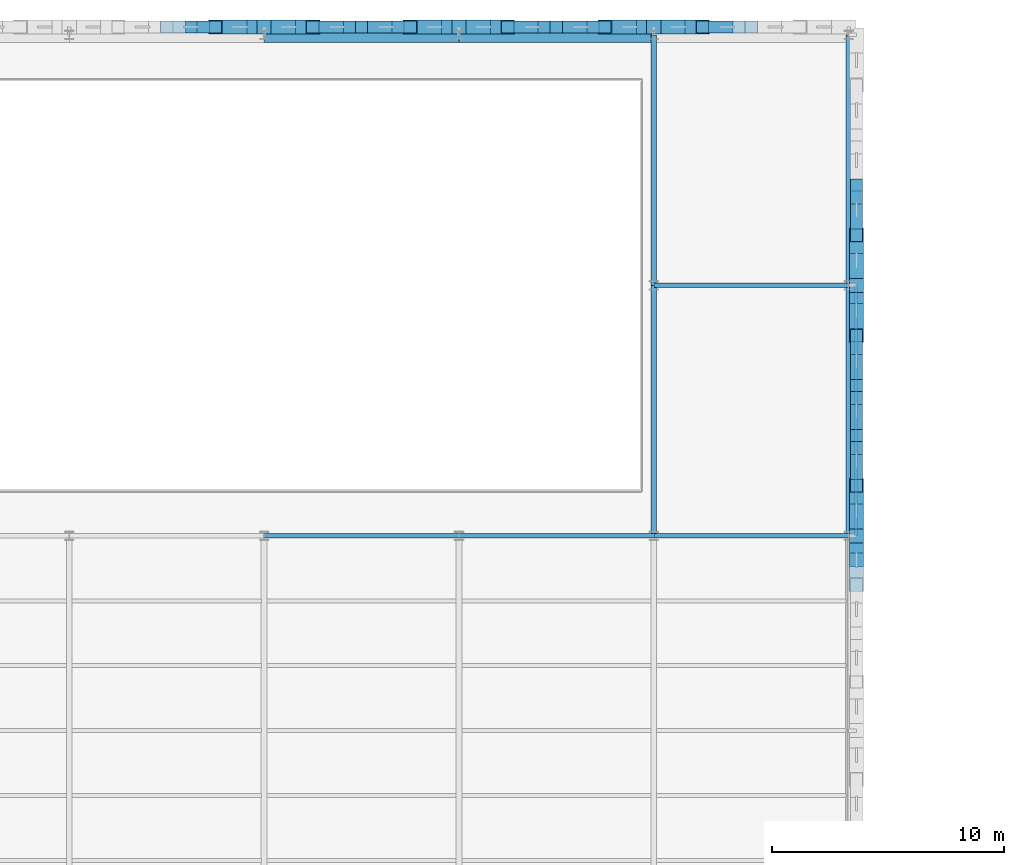
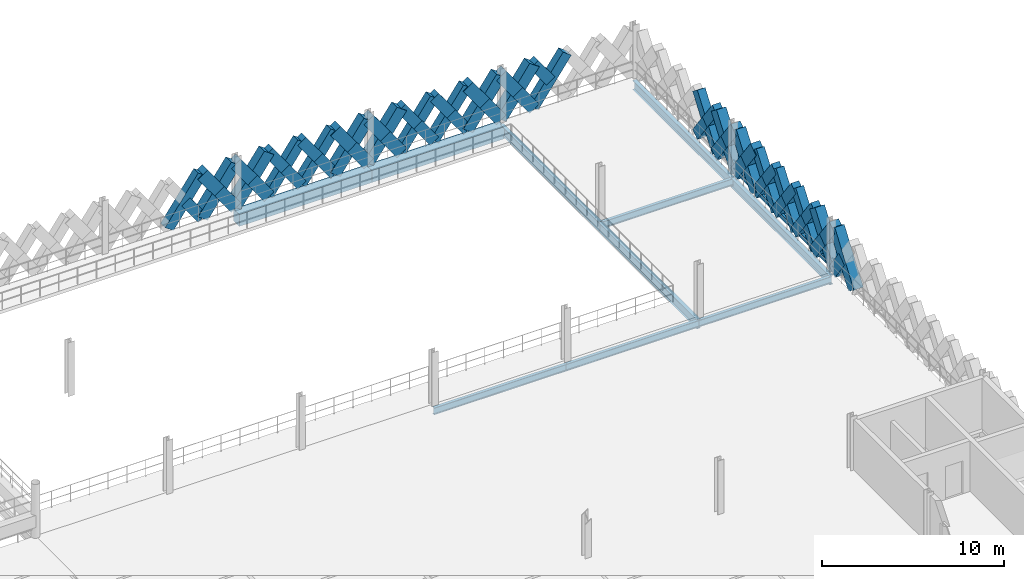
# One storey, part 33 of 79: 58 members, 10 beams.
"""IFC4 building model written with IfcOpenShell, lengths in metres."""

from ifc_helpers import new_model, si_unit, direction, frame, origin, origin_2d, place, context, subcontext, project, spatial, rectangle, hollow_rectangle, i_section, extrude, material, material_profile, profile_set, type_object, element, save


model = new_model("IFC4")

# Units and contexts
model_context = context("Model", 3, precision=1e-05, world=origin(), true_north=direction((0.0, 1.0)))
body_context = subcontext(model_context, "Body", "Model", "MODEL_VIEW")
ifc_project = project(units=[si_unit("LENGTHUNIT", "METRE"), si_unit("AREAUNIT", "SQUARE_METRE"), si_unit("VOLUMEUNIT", "CUBIC_METRE"), si_unit("PLANEANGLEUNIT", "RADIAN"), si_unit("MASSUNIT", "GRAM", prefix="KILO"), si_unit("THERMODYNAMICTEMPERATUREUNIT", "KELVIN"), si_unit("POWERUNIT", "WATT")], contexts=[model_context])

# Site, building, storey
site_placement = place(None, origin())
site = spatial("IfcSite", under=ifc_project, at=site_placement, CompositionType="ELEMENT")
building_placement = place(site_placement, origin())
building = spatial("IfcBuilding", under=site, at=building_placement, Name="Tembeka Court Mobility Hub", CompositionType="ELEMENT")
storey_placement = place(building_placement, frame((0.0, 0.0, 9.0)))
storey = spatial("IfcBuildingStorey", under=building, at=storey_placement, Name="L02", CompositionType="ELEMENT", Elevation=9.0)

# Beams
ifc_material_1 = material(Name="Steel S355", Category="steel")
ifc_material_profile_1 = material_profile(ifc_material_1, i_section(OverallWidth=0.18994140625, OverallDepth=0.45703125, WebThickness=0.009033203125, FlangeThickness=0.014404296875, FilletRadius=0.01025390625, at=origin_2d()), Name="UKB 457x191x74")
ifc_profile_set_1 = profile_set([ifc_material_profile_1], Name="Steel S355")
beam_type_1 = type_object("IfcBeamType", Name="BM-B01", PredefinedType="BEAM", material=ifc_profile_set_1)
beam_1_placement = place(storey_placement, frame((67.199951171875, 97.199951171875, -0.448486328125), z_axis=(1.0, 0.0, 0.0), x_axis=(0.0, 1.0, 0.0)))
element("IfcBeam", 1, at=beam_1_placement, inside=storey, type_object=beam_type_1, Name="Beam B01 (BM-L02-X1291)", PredefinedType="BEAM", context=body_context, shape_type="SweptSolid", body=[
    extrude(i_section(OverallWidth=0.18994140625, OverallDepth=0.45703125, WebThickness=0.009033203125, FlangeThickness=0.014404296875, FilletRadius=0.01025390625, at=origin_2d()), origin(), (0.0, 0.0, 1.0), 8.400146484375),
])
for number, where, z_axis, x_axis, name in (
    (2, (75.60009765625, 97.199951171875, -0.448486328125), (1.0, 0.0, 0.0), (0.0, 1.0, 0.0), "Beam B01 (BM-L02-X1292)"),
    (3, (84.0, 97.199951171875, -0.448486328125), (1.0, 0.0, 0.0), (0.0, 1.0, 0.0), "Beam B01 (BM-L02-X1293)"),
    (4, (84.0, 108.0, -0.448486328125), (1.0, 0.0, 0.0), (0.0, 1.0, 0.0), "Beam B01 (BM-L02-X1296)"),
):
    element("IfcBeam", number, at=place(storey_placement, frame(where, z_axis=z_axis, x_axis=x_axis)), inside=storey, type_object=beam_type_1, Name=name, PredefinedType="BEAM", context=body_context, shape_type="SweptSolid", body=[
        extrude(i_section(OverallWidth=0.18994140625, OverallDepth=0.45703125, WebThickness=0.009033203125, FlangeThickness=0.014404296875, FilletRadius=0.01025390625, at=origin_2d()), origin(), (0.0, 0.0, 1.0), 8.39990234375),
    ])
ifc_material_profile_2 = material_profile(ifc_material_1, i_section(OverallWidth=0.22900390625, OverallDepth=0.612060546875, WebThickness=0.011962890625, FlangeThickness=0.01953125, FilletRadius=0.0126953125, at=origin_2d()), Name="UKB 610x229x125")
ifc_profile_set_2 = profile_set([ifc_material_profile_2], Name="Steel S355")
beam_type_2 = type_object("IfcBeamType", Name="BM-G02", PredefinedType="USERDEFINED", material=ifc_profile_set_2)
for number, where, z_axis, x_axis, name in (
    (5, (84.0, 97.199951171875, -0.52587890625), (0.0, 1.0, 0.0), (-1.0, 0.0, 0.0), "Beam G02 (BM-L02-Y1399)"),
    (6, (84.0, 108.0, -0.52587890625), (0.0, 1.0, 0.0), (-1.0, 0.0, 0.0), "Beam G02 (BM-L02-Y1400)"),
    (7, (92.39990234375, 97.199951171875, -0.52587890625), (0.0, 1.0, 0.0), (-1.0, 0.0, 0.0), "Beam G02 (BM-L02-Y1410)"),
    (8, (92.39990234375, 108.0, -0.52587890625), (0.0, 1.0, 0.0), (-1.0, 0.0, 0.0), "Beam G02 (BM-L02-Y1411)"),
):
    element("IfcBeam", number, at=place(storey_placement, frame(where, z_axis=z_axis, x_axis=x_axis)), inside=storey, type_object=beam_type_2, Name=name, ObjectType="GIRDER", PredefinedType="USERDEFINED", context=body_context, shape_type="SweptSolid", body=[
        extrude(i_section(OverallWidth=0.22900390625, OverallDepth=0.612060546875, WebThickness=0.011962890625, FlangeThickness=0.01953125, FilletRadius=0.0126953125, at=origin_2d()), origin(), (0.0, 0.0, 1.0), 10.800048828125),
    ])
ifc_material_2 = material(Name="Precast concrete C45/55", Category="concrete")
ifc_material_profile_3 = material_profile(ifc_material_2, rectangle(XDim=0.64990234375, YDim=0.800048828125, at=origin_2d()), Name="PC-SP 650x800")
ifc_profile_set_3 = profile_set([ifc_material_profile_3], Name="Precast concrete C45/55")
beam_type_3 = type_object("IfcBeamType", Name="BM-SP01", PredefinedType="SPANDREL", material=ifc_profile_set_3)
beam_2_placement = place(storey_placement, frame((67.199951171875, 118.800048828125, -0.6201171875), z_axis=(1.0, 0.0, 0.0), x_axis=(0.0, 1.0, 0.0)))
element("IfcBeam", 9, at=beam_2_placement, inside=storey, type_object=beam_type_3, Name="Beam SP01 (BM-L02-X1304)", PredefinedType="SPANDREL", context=body_context, shape_type="SweptSolid", body=[
    extrude(rectangle(XDim=0.64990234375, YDim=0.800048828125, at=origin_2d()), origin(), (0.0, 0.0, 1.0), 8.400146484375),
])
beam_3_placement = place(storey_placement, frame((75.60009765625, 118.800048828125, -0.6201171875), z_axis=(1.0, 0.0, 0.0), x_axis=(0.0, 1.0, 0.0)))
element("IfcBeam", 10, at=beam_3_placement, inside=storey, type_object=beam_type_3, Name="Beam SP01 (BM-L02-X1305)", PredefinedType="SPANDREL", context=body_context, shape_type="SweptSolid", body=[
    extrude(rectangle(XDim=0.64990234375, YDim=0.800048828125, at=origin_2d()), origin(), (0.0, 0.0, 1.0), 8.39990234375),
])

# Members
ifc_material_profile_4 = material_profile(ifc_material_2, rectangle(XDim=0.5, YDim=0.64990234375, at=origin_2d()), Name="PC-DIAG 500x650")
ifc_profile_set_4 = profile_set([ifc_material_profile_4], Name="Precast concrete C45/55")
member_type_1 = type_object("IfcMemberType", Name="MEM-DL01", PredefinedType="BRACE", material=ifc_profile_set_4)
member_1_placement = place(storey_placement, frame((63.0, 119.139892578125, 0.02001953125), z_axis=(0.582576362011, 0.0, 0.812775973086), x_axis=(0.0, 1.0, 0.0)))
element("IfcMember", 11, at=member_1_placement, inside=storey, type_object=member_type_1, Name="Precast diamond lattice continuous strand DL01 (L02-263A)", PredefinedType="BRACE", context=body_context, shape_type="SweptSolid", body=[
    extrude(rectangle(XDim=0.5, YDim=0.64990234375, at=origin_2d()), origin(), (0.0, 0.0, 1.0), 3.604736328125),
])
member_2_placement = place(storey_placement, frame((65.10009765625, 119.139892578125, 0.02001953125), z_axis=(-0.582544294934, 0.0, 0.812798956963), x_axis=(0.0, -1.0, 0.0)))
element("IfcMember", 12, at=member_2_placement, inside=storey, type_object=member_type_1, Name="Precast diamond lattice split lower strand DL01 (L02-263B1)", PredefinedType="BRACE", context=body_context, shape_type="SweptSolid", body=[
    extrude(rectangle(XDim=0.5, YDim=0.64990234375, at=origin_2d()), origin(), (0.0, 0.0, 1.0), 1.802490234375),
])
member_3_placement = place(storey_placement, frame((69.300048828125, 119.139892578125, 0.02001953125), z_axis=(0.58253161945, 0.0, 0.812808041509), x_axis=(0.0, 1.0, 0.0)))
element("IfcMember", 13, at=member_3_placement, inside=storey, type_object=member_type_1, Name="Precast diamond lattice continuous strand DL01 (L02-266A)", PredefinedType="BRACE", context=body_context, shape_type="SweptSolid", body=[
    extrude(rectangle(XDim=0.5, YDim=0.64990234375, at=origin_2d()), origin(), (0.0, 0.0, 1.0), 3.604736328125),
])
member_4_placement = place(storey_placement, frame((71.39990234375, 119.139892578125, 0.02001953125), z_axis=(-0.582454804382, 0.0, 0.812863088627), x_axis=(0.0, -1.0, 0.0)))
element("IfcMember", 14, at=member_4_placement, inside=storey, type_object=member_type_1, Name="Precast diamond lattice split lower strand DL01 (L02-266B1)", PredefinedType="BRACE", context=body_context, shape_type="SweptSolid", body=[
    extrude(rectangle(XDim=0.5, YDim=0.64990234375, at=origin_2d()), origin(), (0.0, 0.0, 1.0), 1.802490234375),
])
member_5_placement = place(storey_placement, frame((70.35009765625, 119.139892578125, 1.485107421875), z_axis=(-0.582608431711, 0.0, 0.812752985414), x_axis=(0.0, -1.0, 0.0)))
element("IfcMember", 15, at=member_5_placement, inside=storey, type_object=member_type_1, Name="Precast diamond lattice split upper strand DL01 (L02-266B2)", PredefinedType="BRACE", context=body_context, shape_type="SweptSolid", body=[
    extrude(rectangle(XDim=0.5, YDim=0.64990234375, at=origin_2d()), origin(), (0.0, 0.0, 1.0), 1.80224609375),
])
member_6_placement = place(storey_placement, frame((71.39990234375, 119.139892578125, 0.02001953125), z_axis=(0.582576362011, 0.0, 0.812775973086), x_axis=(0.0, 1.0, 0.0)))
element("IfcMember", 16, at=member_6_placement, inside=storey, type_object=member_type_1, Name="Precast diamond lattice continuous strand DL01 (L02-267A)", PredefinedType="BRACE", context=body_context, shape_type="SweptSolid", body=[
    extrude(rectangle(XDim=0.5, YDim=0.64990234375, at=origin_2d()), origin(), (0.0, 0.0, 1.0), 3.604736328125),
])
member_7_placement = place(storey_placement, frame((73.5, 119.139892578125, 0.02001953125), z_axis=(-0.582544294934, 0.0, 0.812798956963), x_axis=(0.0, -1.0, 0.0)))
element("IfcMember", 17, at=member_7_placement, inside=storey, type_object=member_type_1, Name="Precast diamond lattice split lower strand DL01 (L02-267B1)", PredefinedType="BRACE", context=body_context, shape_type="SweptSolid", body=[
    extrude(rectangle(XDim=0.5, YDim=0.64990234375, at=origin_2d()), origin(), (0.0, 0.0, 1.0), 1.802490234375),
])
member_8_placement = place(storey_placement, frame((72.449951171875, 119.139892578125, 1.485107421875), z_axis=(-0.582608431711, 0.0, 0.812752985414), x_axis=(0.0, -1.0, 0.0)))
element("IfcMember", 18, at=member_8_placement, inside=storey, type_object=member_type_1, Name="Precast diamond lattice split upper strand DL01 (L02-267B2)", PredefinedType="BRACE", context=body_context, shape_type="SweptSolid", body=[
    extrude(rectangle(XDim=0.5, YDim=0.64990234375, at=origin_2d()), origin(), (0.0, 0.0, 1.0), 1.80224609375),
])
member_9_placement = place(storey_placement, frame((77.699951171875, 119.139892578125, 0.02001953125), z_axis=(0.582576362011, 0.0, 0.812775973086), x_axis=(0.0, 1.0, 0.0)))
element("IfcMember", 19, at=member_9_placement, inside=storey, type_object=member_type_1, Name="Precast diamond lattice continuous strand DL01 (L02-270A)", PredefinedType="BRACE", context=body_context, shape_type="SweptSolid", body=[
    extrude(rectangle(XDim=0.5, YDim=0.64990234375, at=origin_2d()), origin(), (0.0, 0.0, 1.0), 3.604736328125),
])
member_10_placement = place(storey_placement, frame((79.800048828125, 119.139892578125, 0.02001953125), z_axis=(-0.582544294934, 0.0, 0.812798956963), x_axis=(0.0, -1.0, 0.0)))
element("IfcMember", 20, at=member_10_placement, inside=storey, type_object=member_type_1, Name="Precast diamond lattice split lower strand DL01 (L02-270B1)", PredefinedType="BRACE", context=body_context, shape_type="SweptSolid", body=[
    extrude(rectangle(XDim=0.5, YDim=0.64990234375, at=origin_2d()), origin(), (0.0, 0.0, 1.0), 1.802490234375),
])
member_11_placement = place(storey_placement, frame((78.75, 119.139892578125, 1.485107421875), z_axis=(-0.582608431711, 0.0, 0.812752985414), x_axis=(0.0, -1.0, 0.0)))
element("IfcMember", 21, at=member_11_placement, inside=storey, type_object=member_type_1, Name="Precast diamond lattice split upper strand DL01 (L02-270B2)", PredefinedType="BRACE", context=body_context, shape_type="SweptSolid", body=[
    extrude(rectangle(XDim=0.5, YDim=0.64990234375, at=origin_2d()), origin(), (0.0, 0.0, 1.0), 1.80224609375),
])
member_12_placement = place(storey_placement, frame((79.800048828125, 119.139892578125, 0.02001953125), z_axis=(0.58253161945, 0.0, 0.812808041509), x_axis=(0.0, 1.0, 0.0)))
element("IfcMember", 22, at=member_12_placement, inside=storey, type_object=member_type_1, Name="Precast diamond lattice continuous strand DL01 (L02-271A)", PredefinedType="BRACE", context=body_context, shape_type="SweptSolid", body=[
    extrude(rectangle(XDim=0.5, YDim=0.64990234375, at=origin_2d()), origin(), (0.0, 0.0, 1.0), 3.604736328125),
])
member_13_placement = place(storey_placement, frame((81.89990234375, 119.139892578125, 0.02001953125), z_axis=(-0.582454804382, 0.0, 0.812863088627), x_axis=(0.0, -1.0, 0.0)))
element("IfcMember", 23, at=member_13_placement, inside=storey, type_object=member_type_1, Name="Precast diamond lattice split lower strand DL01 (L02-271B1)", PredefinedType="BRACE", context=body_context, shape_type="SweptSolid", body=[
    extrude(rectangle(XDim=0.5, YDim=0.64990234375, at=origin_2d()), origin(), (0.0, 0.0, 1.0), 1.802490234375),
])
member_14_placement = place(storey_placement, frame((80.85009765625, 119.139892578125, 1.485107421875), z_axis=(-0.582608431711, 0.0, 0.812752985414), x_axis=(0.0, -1.0, 0.0)))
element("IfcMember", 24, at=member_14_placement, inside=storey, type_object=member_type_1, Name="Precast diamond lattice split upper strand DL01 (L02-271B2)", PredefinedType="BRACE", context=body_context, shape_type="SweptSolid", body=[
    extrude(rectangle(XDim=0.5, YDim=0.64990234375, at=origin_2d()), origin(), (0.0, 0.0, 1.0), 1.80224609375),
])
member_15_placement = place(storey_placement, frame((86.10009765625, 119.139892578125, 0.02001953125), z_axis=(0.58253161945, 0.0, 0.812808041509), x_axis=(0.0, 1.0, 0.0)))
element("IfcMember", 25, at=member_15_placement, inside=storey, type_object=member_type_1, Name="Precast diamond lattice continuous strand DL01 (L02-274A)", PredefinedType="BRACE", context=body_context, shape_type="SweptSolid", body=[
    extrude(rectangle(XDim=0.5, YDim=0.64990234375, at=origin_2d()), origin(), (0.0, 0.0, 1.0), 3.604736328125),
])
member_16_placement = place(storey_placement, frame((87.14990234375, 119.139892578125, 1.485107421875), z_axis=(-0.582518941428, 0.0, 0.812817127574), x_axis=(0.0, -1.0, 0.0)))
element("IfcMember", 26, at=member_16_placement, inside=storey, type_object=member_type_1, Name="Precast diamond lattice split upper strand DL01 (L02-274B2)", PredefinedType="BRACE", context=body_context, shape_type="SweptSolid", body=[
    extrude(rectangle(XDim=0.5, YDim=0.64990234375, at=origin_2d()), origin(), (0.0, 0.0, 1.0), 1.80224609375),
])
member_17_placement = place(storey_placement, frame((92.739990234375, 99.360107421875, 0.02001953125), z_axis=(0.0, 0.593379766398, 0.804922637792), x_axis=(-1.0, 0.0, 0.0)))
element("IfcMember", 27, at=member_17_placement, inside=storey, type_object=member_type_1, Name="Precast diamond lattice continuous strand DL01 (L02-380C)", PredefinedType="BRACE", context=body_context, shape_type="SweptSolid", body=[
    extrude(rectangle(XDim=0.5, YDim=0.64990234375, at=origin_2d()), origin(), (0.0, 0.0, 1.0), 3.64013671875),
])
member_18_placement = place(storey_placement, frame((92.739990234375, 101.52001953125, 0.02001953125), z_axis=(0.0, -0.593391185876, 0.804914219358), x_axis=(1.0, 0.0, 0.0)))
element("IfcMember", 28, at=member_18_placement, inside=storey, type_object=member_type_1, Name="Precast diamond lattice split lower strand DL01 (L02-380D1)", PredefinedType="BRACE", context=body_context, shape_type="SweptSolid", body=[
    extrude(rectangle(XDim=0.5, YDim=0.64990234375, at=origin_2d()), origin(), (0.0, 0.0, 1.0), 1.820068359375),
])
member_19_placement = place(storey_placement, frame((92.739990234375, 100.43994140625, 1.485107421875), z_axis=(0.0, -0.593368344659, 0.804931057642), x_axis=(1.0, 0.0, 0.0)))
element("IfcMember", 29, at=member_19_placement, inside=storey, type_object=member_type_1, Name="Precast diamond lattice split upper strand DL01 (L02-380D2)", PredefinedType="BRACE", context=body_context, shape_type="SweptSolid", body=[
    extrude(rectangle(XDim=0.5, YDim=0.64990234375, at=origin_2d()), origin(), (0.0, 0.0, 1.0), 1.81982421875),
])
member_20_placement = place(storey_placement, frame((92.739990234375, 101.52001953125, 0.02001953125), z_axis=(0.0, 0.593379766398, 0.804922637792), x_axis=(-1.0, 0.0, 0.0)))
element("IfcMember", 30, at=member_20_placement, inside=storey, type_object=member_type_1, Name="Precast diamond lattice continuous strand DL01 (L02-381C)", PredefinedType="BRACE", context=body_context, shape_type="SweptSolid", body=[
    extrude(rectangle(XDim=0.5, YDim=0.64990234375, at=origin_2d()), origin(), (0.0, 0.0, 1.0), 3.64013671875),
])
for number, where, z_axis, x_axis, name in (
    (31, (92.739990234375, 103.679931640625, 0.02001953125), (0.0, -0.593304274421, 0.804978284151), (1.0, 0.0, 0.0), "Precast diamond lattice split lower strand DL01 (L02-381D1)"),
    (32, (92.739990234375, 102.60009765625, 1.485107421875), (0.0, -0.593455255298, 0.804866982773), (1.0, 0.0, 0.0), "Precast diamond lattice split upper strand DL01 (L02-381D2)"),
):
    element("IfcMember", number, at=place(storey_placement, frame(where, z_axis=z_axis, x_axis=x_axis)), inside=storey, type_object=member_type_1, Name=name, PredefinedType="BRACE", context=body_context, shape_type="SweptSolid", body=[
        extrude(rectangle(XDim=0.5, YDim=0.64990234375, at=origin_2d()), origin(), (0.0, 0.0, 1.0), 1.820068359375),
    ])
member_21_placement = place(storey_placement, frame((92.739990234375, 103.679931640625, 0.02001953125), z_axis=(0.0, 0.593423219328, 0.804890602978), x_axis=(-1.0, 0.0, 0.0)))
element("IfcMember", 33, at=member_21_placement, inside=storey, type_object=member_type_1, Name="Precast diamond lattice continuous strand DL01 (L02-382C)", PredefinedType="BRACE", context=body_context, shape_type="SweptSolid", body=[
    extrude(rectangle(XDim=0.5, YDim=0.64990234375, at=origin_2d()), origin(), (0.0, 0.0, 1.0), 3.64013671875),
])
for number, where, z_axis, x_axis, name in (
    (34, (92.739990234375, 105.840087890625, 0.02001953125), (0.0, -0.593391185876, 0.804914219358), (1.0, 0.0, 0.0), "Precast diamond lattice split lower strand DL01 (L02-382D1)"),
    (35, (92.739990234375, 104.760009765625, 1.485107421875), (0.0, -0.593455255298, 0.804866982773), (1.0, 0.0, 0.0), "Precast diamond lattice split upper strand DL01 (L02-382D2)"),
):
    element("IfcMember", number, at=place(storey_placement, frame(where, z_axis=z_axis, x_axis=x_axis)), inside=storey, type_object=member_type_1, Name=name, PredefinedType="BRACE", context=body_context, shape_type="SweptSolid", body=[
        extrude(rectangle(XDim=0.5, YDim=0.64990234375, at=origin_2d()), origin(), (0.0, 0.0, 1.0), 1.820068359375),
    ])
member_22_placement = place(storey_placement, frame((92.739990234375, 110.159912109375, 0.02001953125), z_axis=(0.0, 0.593423219328, 0.804890602978), x_axis=(-1.0, 0.0, 0.0)))
element("IfcMember", 36, at=member_22_placement, inside=storey, type_object=member_type_1, Name="Precast diamond lattice continuous strand DL01 (L02-385C)", PredefinedType="BRACE", context=body_context, shape_type="SweptSolid", body=[
    extrude(rectangle(XDim=0.5, YDim=0.64990234375, at=origin_2d()), origin(), (0.0, 0.0, 1.0), 3.64013671875),
])
for number, where, z_axis, x_axis, name in (
    (37, (92.739990234375, 112.320068359375, 0.02001953125), (0.0, -0.593391185876, 0.804914219358), (1.0, 0.0, 0.0), "Precast diamond lattice split lower strand DL01 (L02-385D1)"),
    (38, (92.739990234375, 111.239990234375, 1.485107421875), (0.0, -0.593455255298, 0.804866982773), (1.0, 0.0, 0.0), "Precast diamond lattice split upper strand DL01 (L02-385D2)"),
):
    element("IfcMember", number, at=place(storey_placement, frame(where, z_axis=z_axis, x_axis=x_axis)), inside=storey, type_object=member_type_1, Name=name, PredefinedType="BRACE", context=body_context, shape_type="SweptSolid", body=[
        extrude(rectangle(XDim=0.5, YDim=0.64990234375, at=origin_2d()), origin(), (0.0, 0.0, 1.0), 1.820068359375),
    ])
ifc_material_profile_5 = material_profile(ifc_material_2, rectangle(XDim=0.60009765625, YDim=0.75, at=origin_2d()), Name="PC-DIAG 600x750")
ifc_profile_set_5 = profile_set([ifc_material_profile_5], Name="Precast concrete C45/55")
member_type_2 = type_object("IfcMemberType", Name="MEM-DL02", PredefinedType="BRACE", material=ifc_profile_set_5)
member_23_placement = place(storey_placement, frame((65.10009765625, 119.139892578125, 0.02001953125), z_axis=(0.58253161945, 0.0, 0.812808041509), x_axis=(0.0, 1.0, 0.0)))
element("IfcMember", 39, at=member_23_placement, inside=storey, type_object=member_type_2, Name="Precast diamond lattice continuous strand DL02 (L02-264A)", PredefinedType="BRACE", context=body_context, shape_type="SweptSolid", body=[
    extrude(rectangle(XDim=0.60009765625, YDim=0.75, at=origin_2d()), origin(), (0.0, 0.0, 1.0), 3.604736328125),
])
member_24_placement = place(storey_placement, frame((67.199951171875, 119.139892578125, 0.02001953125), z_axis=(-0.582544294934, 0.0, 0.812798956963), x_axis=(0.0, -1.0, 0.0)))
element("IfcMember", 40, at=member_24_placement, inside=storey, type_object=member_type_2, Name="Precast diamond lattice split lower strand DL02 (L02-264B1)", PredefinedType="BRACE", context=body_context, shape_type="SweptSolid", body=[
    extrude(rectangle(XDim=0.60009765625, YDim=0.75, at=origin_2d()), origin(), (0.0, 0.0, 1.0), 1.802490234375),
])
member_25_placement = place(storey_placement, frame((66.14990234375, 119.139892578125, 1.485107421875), z_axis=(-0.582518941428, 0.0, 0.812817127574), x_axis=(0.0, -1.0, 0.0)))
element("IfcMember", 41, at=member_25_placement, inside=storey, type_object=member_type_2, Name="Precast diamond lattice split upper strand DL02 (L02-264B2)", PredefinedType="BRACE", context=body_context, shape_type="SweptSolid", body=[
    extrude(rectangle(XDim=0.60009765625, YDim=0.75, at=origin_2d()), origin(), (0.0, 0.0, 1.0), 1.80224609375),
])
member_26_placement = place(storey_placement, frame((67.199951171875, 119.139892578125, 0.02001953125), z_axis=(0.582576362011, 0.0, 0.812775973086), x_axis=(0.0, 1.0, 0.0)))
element("IfcMember", 42, at=member_26_placement, inside=storey, type_object=member_type_2, Name="Precast diamond lattice continuous strand DL02 (L02-265A)", PredefinedType="BRACE", context=body_context, shape_type="SweptSolid", body=[
    extrude(rectangle(XDim=0.60009765625, YDim=0.75, at=origin_2d()), origin(), (0.0, 0.0, 1.0), 3.604736328125),
])
member_27_placement = place(storey_placement, frame((69.300048828125, 119.139892578125, 0.02001953125), z_axis=(-0.582544294934, 0.0, 0.812798956963), x_axis=(0.0, -1.0, 0.0)))
element("IfcMember", 43, at=member_27_placement, inside=storey, type_object=member_type_2, Name="Precast diamond lattice split lower strand DL02 (L02-265B1)", PredefinedType="BRACE", context=body_context, shape_type="SweptSolid", body=[
    extrude(rectangle(XDim=0.60009765625, YDim=0.75, at=origin_2d()), origin(), (0.0, 0.0, 1.0), 1.802490234375),
])
member_28_placement = place(storey_placement, frame((68.25, 119.139892578125, 1.485107421875), z_axis=(-0.582608431711, 0.0, 0.812752985414), x_axis=(0.0, -1.0, 0.0)))
element("IfcMember", 44, at=member_28_placement, inside=storey, type_object=member_type_2, Name="Precast diamond lattice split upper strand DL02 (L02-265B2)", PredefinedType="BRACE", context=body_context, shape_type="SweptSolid", body=[
    extrude(rectangle(XDim=0.60009765625, YDim=0.75, at=origin_2d()), origin(), (0.0, 0.0, 1.0), 1.80224609375),
])
member_29_placement = place(storey_placement, frame((73.5, 119.139892578125, 0.02001953125), z_axis=(0.582576362011, 0.0, 0.812775973086), x_axis=(0.0, 1.0, 0.0)))
element("IfcMember", 45, at=member_29_placement, inside=storey, type_object=member_type_2, Name="Precast diamond lattice continuous strand DL02 (L02-268A)", PredefinedType="BRACE", context=body_context, shape_type="SweptSolid", body=[
    extrude(rectangle(XDim=0.60009765625, YDim=0.75, at=origin_2d()), origin(), (0.0, 0.0, 1.0), 3.604736328125),
])
member_30_placement = place(storey_placement, frame((75.60009765625, 119.139892578125, 0.02001953125), z_axis=(-0.582544294934, 0.0, 0.812798956963), x_axis=(0.0, -1.0, 0.0)))
element("IfcMember", 46, at=member_30_placement, inside=storey, type_object=member_type_2, Name="Precast diamond lattice split lower strand DL02 (L02-268B1)", PredefinedType="BRACE", context=body_context, shape_type="SweptSolid", body=[
    extrude(rectangle(XDim=0.60009765625, YDim=0.75, at=origin_2d()), origin(), (0.0, 0.0, 1.0), 1.802490234375),
])
member_31_placement = place(storey_placement, frame((74.550048828125, 119.139892578125, 1.485107421875), z_axis=(-0.582608431711, 0.0, 0.812752985414), x_axis=(0.0, -1.0, 0.0)))
element("IfcMember", 47, at=member_31_placement, inside=storey, type_object=member_type_2, Name="Precast diamond lattice split upper strand DL02 (L02-268B2)", PredefinedType="BRACE", context=body_context, shape_type="SweptSolid", body=[
    extrude(rectangle(XDim=0.60009765625, YDim=0.75, at=origin_2d()), origin(), (0.0, 0.0, 1.0), 1.80224609375),
])
member_32_placement = place(storey_placement, frame((75.60009765625, 119.139892578125, 0.02001953125), z_axis=(0.58253161945, 0.0, 0.812808041509), x_axis=(0.0, 1.0, 0.0)))
element("IfcMember", 48, at=member_32_placement, inside=storey, type_object=member_type_2, Name="Precast diamond lattice continuous strand DL02 (L02-269A)", PredefinedType="BRACE", context=body_context, shape_type="SweptSolid", body=[
    extrude(rectangle(XDim=0.60009765625, YDim=0.75, at=origin_2d()), origin(), (0.0, 0.0, 1.0), 3.604736328125),
])
member_33_placement = place(storey_placement, frame((77.699951171875, 119.139892578125, 0.02001953125), z_axis=(-0.582544294934, 0.0, 0.812798956963), x_axis=(0.0, -1.0, 0.0)))
element("IfcMember", 49, at=member_33_placement, inside=storey, type_object=member_type_2, Name="Precast diamond lattice split lower strand DL02 (L02-269B1)", PredefinedType="BRACE", context=body_context, shape_type="SweptSolid", body=[
    extrude(rectangle(XDim=0.60009765625, YDim=0.75, at=origin_2d()), origin(), (0.0, 0.0, 1.0), 1.802490234375),
])
member_34_placement = place(storey_placement, frame((76.64990234375, 119.139892578125, 1.485107421875), z_axis=(-0.582518941428, 0.0, 0.812817127574), x_axis=(0.0, -1.0, 0.0)))
element("IfcMember", 50, at=member_34_placement, inside=storey, type_object=member_type_2, Name="Precast diamond lattice split upper strand DL02 (L02-269B2)", PredefinedType="BRACE", context=body_context, shape_type="SweptSolid", body=[
    extrude(rectangle(XDim=0.60009765625, YDim=0.75, at=origin_2d()), origin(), (0.0, 0.0, 1.0), 1.80224609375),
])
member_35_placement = place(storey_placement, frame((81.89990234375, 119.139892578125, 0.02001953125), z_axis=(0.582576362011, 0.0, 0.812775973086), x_axis=(0.0, 1.0, 0.0)))
element("IfcMember", 51, at=member_35_placement, inside=storey, type_object=member_type_2, Name="Precast diamond lattice continuous strand DL02 (L02-272A)", PredefinedType="BRACE", context=body_context, shape_type="SweptSolid", body=[
    extrude(rectangle(XDim=0.60009765625, YDim=0.75, at=origin_2d()), origin(), (0.0, 0.0, 1.0), 3.604736328125),
])
member_36_placement = place(storey_placement, frame((84.0, 119.139892578125, 0.02001953125), z_axis=(-0.582544294934, 0.0, 0.812798956963), x_axis=(0.0, -1.0, 0.0)))
element("IfcMember", 52, at=member_36_placement, inside=storey, type_object=member_type_2, Name="Precast diamond lattice split lower strand DL02 (L02-272B1)", PredefinedType="BRACE", context=body_context, shape_type="SweptSolid", body=[
    extrude(rectangle(XDim=0.60009765625, YDim=0.75, at=origin_2d()), origin(), (0.0, 0.0, 1.0), 1.802490234375),
])
member_37_placement = place(storey_placement, frame((82.949951171875, 119.139892578125, 1.485107421875), z_axis=(-0.582608431711, 0.0, 0.812752985414), x_axis=(0.0, -1.0, 0.0)))
element("IfcMember", 53, at=member_37_placement, inside=storey, type_object=member_type_2, Name="Precast diamond lattice split upper strand DL02 (L02-272B2)", PredefinedType="BRACE", context=body_context, shape_type="SweptSolid", body=[
    extrude(rectangle(XDim=0.60009765625, YDim=0.75, at=origin_2d()), origin(), (0.0, 0.0, 1.0), 1.80224609375),
])
member_38_placement = place(storey_placement, frame((84.0, 119.139892578125, 0.02001953125), z_axis=(0.582576362011, 0.0, 0.812775973086), x_axis=(0.0, 1.0, 0.0)))
element("IfcMember", 54, at=member_38_placement, inside=storey, type_object=member_type_2, Name="Precast diamond lattice continuous strand DL02 (L02-273A)", PredefinedType="BRACE", context=body_context, shape_type="SweptSolid", body=[
    extrude(rectangle(XDim=0.60009765625, YDim=0.75, at=origin_2d()), origin(), (0.0, 0.0, 1.0), 3.604736328125),
])
member_39_placement = place(storey_placement, frame((86.10009765625, 119.139892578125, 0.02001953125), z_axis=(-0.582544294934, 0.0, 0.812798956963), x_axis=(0.0, -1.0, 0.0)))
element("IfcMember", 55, at=member_39_placement, inside=storey, type_object=member_type_2, Name="Precast diamond lattice split lower strand DL02 (L02-273B1)", PredefinedType="BRACE", context=body_context, shape_type="SweptSolid", body=[
    extrude(rectangle(XDim=0.60009765625, YDim=0.75, at=origin_2d()), origin(), (0.0, 0.0, 1.0), 1.802490234375),
])
member_40_placement = place(storey_placement, frame((85.050048828125, 119.139892578125, 1.485107421875), z_axis=(-0.582608431711, 0.0, 0.812752985414), x_axis=(0.0, -1.0, 0.0)))
element("IfcMember", 56, at=member_40_placement, inside=storey, type_object=member_type_2, Name="Precast diamond lattice split upper strand DL02 (L02-273B2)", PredefinedType="BRACE", context=body_context, shape_type="SweptSolid", body=[
    extrude(rectangle(XDim=0.60009765625, YDim=0.75, at=origin_2d()), origin(), (0.0, 0.0, 1.0), 1.80224609375),
])
member_41_placement = place(storey_placement, frame((92.739990234375, 95.10009765625, 0.02001953125), z_axis=(0.0, 0.58253161945, 0.812808041509), x_axis=(-1.0, 0.0, 0.0)))
element("IfcMember", 57, at=member_41_placement, inside=storey, type_object=member_type_2, Name="Precast diamond lattice continuous strand DL02 (L02-378C)", PredefinedType="BRACE", context=body_context, shape_type="SweptSolid", body=[
    extrude(rectangle(XDim=0.60009765625, YDim=0.75, at=origin_2d()), origin(), (0.0, 0.0, 1.0), 3.604736328125),
])
member_42_placement = place(storey_placement, frame((92.739990234375, 97.199951171875, 0.02001953125), z_axis=(0.0, -0.582544294934, 0.812798956963), x_axis=(1.0, 0.0, 0.0)))
element("IfcMember", 58, at=member_42_placement, inside=storey, type_object=member_type_2, Name="Precast diamond lattice split lower strand DL02 (L02-378D1)", PredefinedType="BRACE", context=body_context, shape_type="SweptSolid", body=[
    extrude(rectangle(XDim=0.60009765625, YDim=0.75, at=origin_2d()), origin(), (0.0, 0.0, 1.0), 1.802490234375),
])
member_43_placement = place(storey_placement, frame((92.739990234375, 97.199951171875, 0.02001953125), z_axis=(0.0, 0.593423219328, 0.804890602978), x_axis=(-1.0, 0.0, 0.0)))
element("IfcMember", 59, at=member_43_placement, inside=storey, type_object=member_type_2, Name="Precast diamond lattice continuous strand DL02 (L02-379C)", PredefinedType="BRACE", context=body_context, shape_type="SweptSolid", body=[
    extrude(rectangle(XDim=0.60009765625, YDim=0.75, at=origin_2d()), origin(), (0.0, 0.0, 1.0), 3.64013671875),
])
for number, where, z_axis, x_axis, name in (
    (60, (92.739990234375, 99.360107421875, 0.02001953125), (0.0, -0.593391185876, 0.804914219358), (1.0, 0.0, 0.0), "Precast diamond lattice split lower strand DL02 (L02-379D1)"),
    (61, (92.739990234375, 98.280029296875, 1.485107421875), (0.0, -0.593455255298, 0.804866982773), (1.0, 0.0, 0.0), "Precast diamond lattice split upper strand DL02 (L02-379D2)"),
):
    element("IfcMember", number, at=place(storey_placement, frame(where, z_axis=z_axis, x_axis=x_axis)), inside=storey, type_object=member_type_2, Name=name, PredefinedType="BRACE", context=body_context, shape_type="SweptSolid", body=[
        extrude(rectangle(XDim=0.60009765625, YDim=0.75, at=origin_2d()), origin(), (0.0, 0.0, 1.0), 1.820068359375),
    ])
member_44_placement = place(storey_placement, frame((92.739990234375, 105.840087890625, 0.02001953125), z_axis=(0.0, 0.593379766398, 0.804922637792), x_axis=(-1.0, 0.0, 0.0)))
element("IfcMember", 62, at=member_44_placement, inside=storey, type_object=member_type_2, Name="Precast diamond lattice continuous strand DL02 (L02-383C)", PredefinedType="BRACE", context=body_context, shape_type="SweptSolid", body=[
    extrude(rectangle(XDim=0.60009765625, YDim=0.75, at=origin_2d()), origin(), (0.0, 0.0, 1.0), 3.64013671875),
])
member_45_placement = place(storey_placement, frame((92.739990234375, 108.0, 0.02001953125), z_axis=(0.0, -0.593391185876, 0.804914219358), x_axis=(1.0, 0.0, 0.0)))
element("IfcMember", 63, at=member_45_placement, inside=storey, type_object=member_type_2, Name="Precast diamond lattice split lower strand DL02 (L02-383D1)", PredefinedType="BRACE", context=body_context, shape_type="SweptSolid", body=[
    extrude(rectangle(XDim=0.60009765625, YDim=0.75, at=origin_2d()), origin(), (0.0, 0.0, 1.0), 1.820068359375),
])
member_46_placement = place(storey_placement, frame((92.739990234375, 106.919921875, 1.485107421875), z_axis=(0.0, -0.593368344659, 0.804931057642), x_axis=(1.0, 0.0, 0.0)))
element("IfcMember", 64, at=member_46_placement, inside=storey, type_object=member_type_2, Name="Precast diamond lattice split upper strand DL02 (L02-383D2)", PredefinedType="BRACE", context=body_context, shape_type="SweptSolid", body=[
    extrude(rectangle(XDim=0.60009765625, YDim=0.75, at=origin_2d()), origin(), (0.0, 0.0, 1.0), 1.81982421875),
])
member_47_placement = place(storey_placement, frame((92.739990234375, 108.0, 0.02001953125), z_axis=(0.0, 0.593379766398, 0.804922637792), x_axis=(-1.0, 0.0, 0.0)))
element("IfcMember", 65, at=member_47_placement, inside=storey, type_object=member_type_2, Name="Precast diamond lattice continuous strand DL02 (L02-384C)", PredefinedType="BRACE", context=body_context, shape_type="SweptSolid", body=[
    extrude(rectangle(XDim=0.60009765625, YDim=0.75, at=origin_2d()), origin(), (0.0, 0.0, 1.0), 3.64013671875),
])
for number, where, z_axis, x_axis, name in (
    (66, (92.739990234375, 110.159912109375, 0.02001953125), (0.0, -0.593304274421, 0.804978284151), (1.0, 0.0, 0.0), "Precast diamond lattice split lower strand DL02 (L02-384D1)"),
    (67, (92.739990234375, 109.080078125, 1.485107421875), (0.0, -0.593455255298, 0.804866982773), (1.0, 0.0, 0.0), "Precast diamond lattice split upper strand DL02 (L02-384D2)"),
):
    element("IfcMember", number, at=place(storey_placement, frame(where, z_axis=z_axis, x_axis=x_axis)), inside=storey, type_object=member_type_2, Name=name, PredefinedType="BRACE", context=body_context, shape_type="SweptSolid", body=[
        extrude(rectangle(XDim=0.60009765625, YDim=0.75, at=origin_2d()), origin(), (0.0, 0.0, 1.0), 1.820068359375),
    ])
ifc_material_profile_6 = material_profile(ifc_material_1, hollow_rectangle(XDim=0.14990234375, YDim=0.300048828125, WallThickness=0.010009765625, at=origin_2d()), Name="RHS 300x150x10")
ifc_profile_set_6 = profile_set([ifc_material_profile_6], Name="Steel S355")
member_type_3 = type_object("IfcMemberType", Name="MEM-ST03", PredefinedType="STRUT", material=ifc_profile_set_6)
member_48_placement = place(storey_placement, frame((92.739990234375, 97.199951171875, 0.02001953125), z_axis=(0.0, 1.0, 0.0), x_axis=(-1.0, 0.0, 0.0)))
element("IfcMember", 68, at=member_48_placement, inside=storey, type_object=member_type_3, Name="Proud lattice sill tie chord SR03 (L02-E-97)", PredefinedType="STRUT", context=body_context, shape_type="SweptSolid", body=[
    extrude(hollow_rectangle(XDim=0.14990234375, YDim=0.300048828125, WallThickness=0.010009765625, at=origin_2d()), origin(), (0.0, 0.0, 1.0), 10.800048828125),
])

save(model, "model.ifc")
